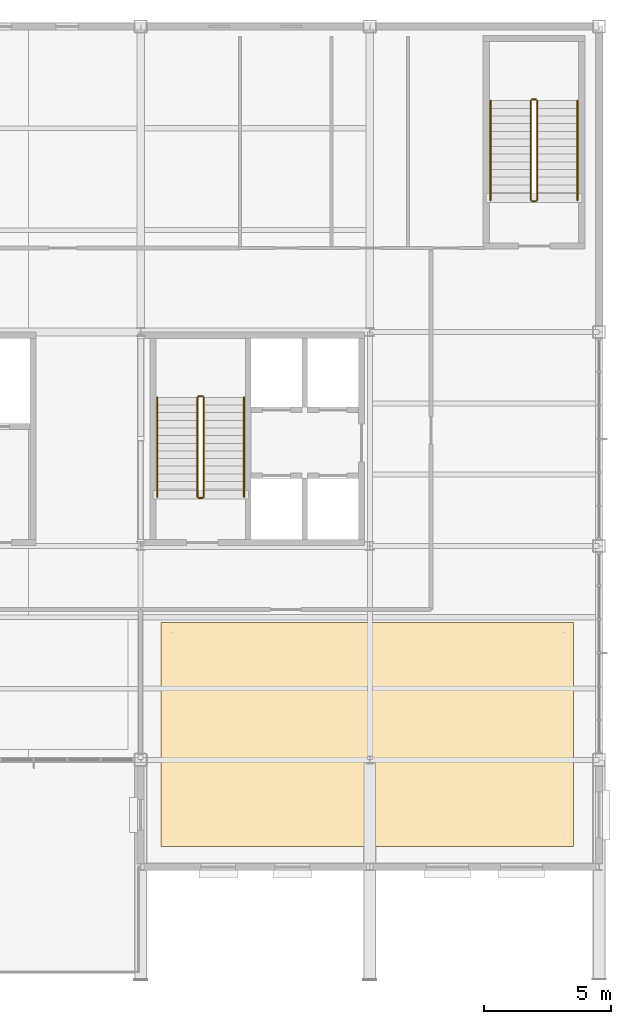
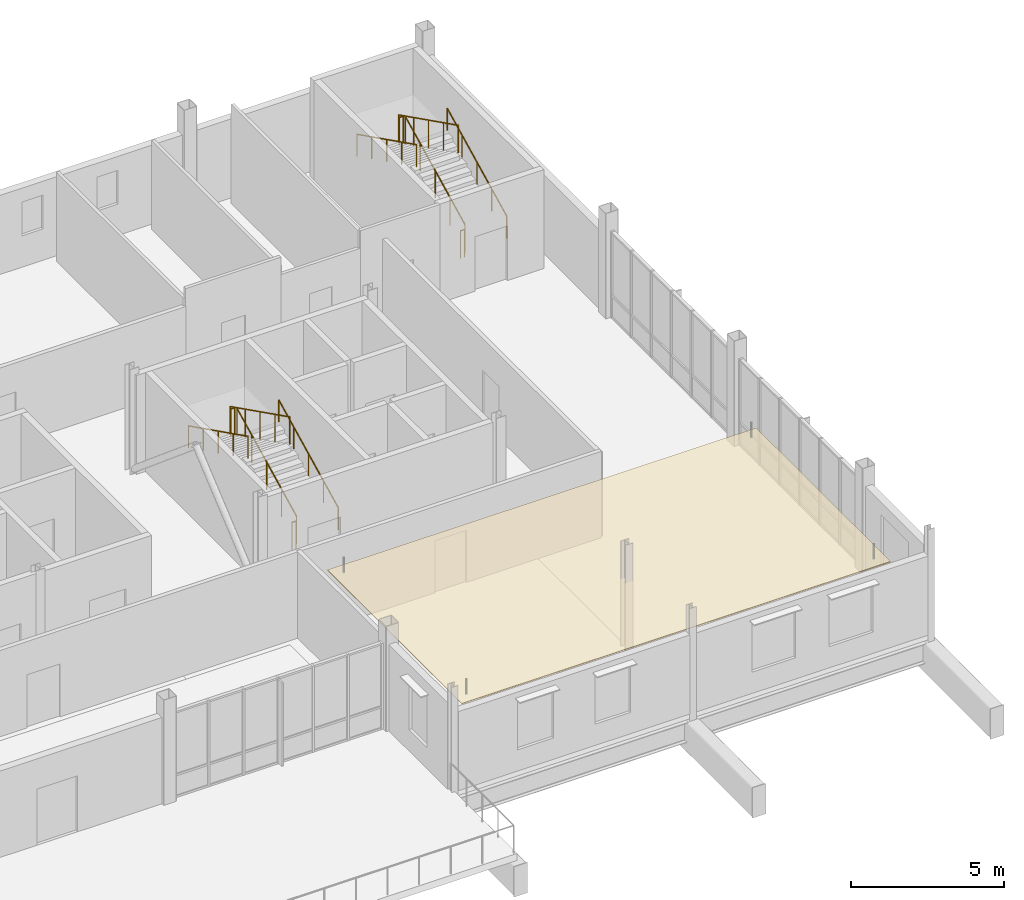
# One storey, part 22 of 22: 12 railings, 1 covering.
"""IFC4 building model written with IfcOpenShell, lengths in metres."""

import ifcopenshell
import ifcopenshell.guid

model = None  # the IFC model being written
_history = None  # IfcOwnerHistory: only IFC2X3 demands one
_inside = {}  # id of a spatial element -> (the spatial element, [elements in it])
_under = {}  # id of a project, library or spatial element -> (it, [spatial elements below it])
_declared = {}  # id of a project -> (the project, [libraries it declares])
_typed = {}  # id of a type object -> (the type object, [elements of that type])
_made_of = {}  # id of a material, layer set ... -> (it, [elements and type objects made of it])


def new_model(schema):
    """Start an empty IFC model of exactly this schema.

    Asked for "IFC4X3", IfcOpenShell would pick the latest addendum, in which some entities
    have other attributes; the version numbers below select the first issue.
    IFC2X3 requires an IfcOwnerHistory on every rooted entity: one is made here for all.
    """
    global model, _history
    if schema == "IFC4X3":
        model = ifcopenshell.file(schema_version=(4, 3, 0, 0))
    else:
        model = ifcopenshell.file(schema=schema)
    _inside.clear()
    _under.clear()
    _declared.clear()
    _typed.clear()
    _made_of.clear()
    _history = None
    if model.schema == "IFC2X3":
        org = make("IfcOrganization", Name="unknown")
        user = make(
            "IfcPersonAndOrganization",
            ThePerson=make("IfcPerson", FamilyName="unknown"),
            TheOrganization=org,
        )
        app = make(
            "IfcApplication",
            ApplicationDeveloper=org,
            Version="unknown",
            ApplicationFullName="unknown",
            ApplicationIdentifier="unknown",
        )
        _history = make(
            "IfcOwnerHistory",
            OwningUser=user,
            OwningApplication=app,
            ChangeAction="ADDED",
            CreationDate=0,
        )
    return model


def make(cls, **values):
    """One entity of the class cls with the attributes given. An attribute that is None is left unset."""
    return model.create_entity(
        cls, **{name: value for name, value in values.items() if value is not None}
    )


def rooted(cls, **values):
    """An entity with a GlobalId (a new one), such as an element, a storey or a relation."""
    return make(cls, GlobalId=ifcopenshell.guid.new(), OwnerHistory=_history, **values)


def si_unit(unit_type, name, prefix=None):
    """IfcSIUnit, for example si_unit("LENGTHUNIT", "METRE", prefix="MILLI")."""
    return make("IfcSIUnit", UnitType=unit_type, Prefix=prefix, Name=name)


def assignment(units):
    """IfcUnitAssignment: the units of a project."""
    return None if units is None else make("IfcUnitAssignment", Units=units)


def point(xyz):
    """IfcCartesianPoint."""
    return None if xyz is None else make("IfcCartesianPoint", Coordinates=xyz)


def direction(xyz):
    """IfcDirection."""
    return None if xyz is None else make("IfcDirection", DirectionRatios=xyz)


def frame(location, z_axis=None, x_axis=None):
    """IfcAxis2Placement3D, a coordinate frame: its origin and axes. An axis left out is left unset."""
    return make(
        "IfcAxis2Placement3D",
        Location=point(location),
        Axis=direction(z_axis),
        RefDirection=direction(x_axis),
    )


def frame_2d(location, x_axis=None):
    """IfcAxis2Placement2D, a coordinate frame in the plane: its origin and x axis."""
    return make(
        "IfcAxis2Placement2D", Location=point(location), RefDirection=direction(x_axis)
    )


def origin():
    """The frame at (0, 0, 0) with its axes left unset."""
    return frame((0.0, 0.0, 0.0))


def origin_2d():
    """The frame at (0, 0) in the plane with its x axis left unset."""
    return frame_2d((0.0, 0.0))


def place(relative_to, where):
    """IfcLocalPlacement: puts the frame where relative to a parent placement (None: the world)."""
    return make(
        "IfcLocalPlacement", PlacementRelTo=relative_to, RelativePlacement=where
    )


def context(
    kind, dimensions, precision=None, world=None, true_north=None, identifier=None
):
    """IfcGeometricRepresentationContext, for example the 3D "Model" context."""
    return make(
        "IfcGeometricRepresentationContext",
        ContextIdentifier=identifier,
        ContextType=kind,
        CoordinateSpaceDimension=dimensions,
        Precision=precision,
        WorldCoordinateSystem=world,
        TrueNorth=true_north,
    )


def subcontext(parent, identifier, kind, view, scale=None):
    """IfcGeometricRepresentationSubContext, for example "Body" below "Model"."""
    return make(
        "IfcGeometricRepresentationSubContext",
        ContextIdentifier=identifier,
        ContextType=kind,
        ParentContext=parent,
        TargetScale=scale,
        TargetView=view,
    )


def project(units=None, contexts=None):
    """IfcProject with its units and contexts."""
    return rooted(
        "IfcProject",
        Name="project",
        RepresentationContexts=contexts,
        UnitsInContext=assignment(units),
    )


def spatial(cls, under=None, at=None, **own):
    """A site, building, storey or space (cls), placed at a placement, below another one or the project."""
    s = rooted(cls, ObjectPlacement=at, **own)
    if under is not None:
        _under.setdefault(under.id(), (under, []))[1].append(s)
    return s


def polyline(points):
    """IfcPolyline through the points."""
    return make("IfcPolyline", Points=[point(p) for p in points])


def profile(cls, at=None, kind="AREA", **sizes):
    """A parametric profile (cls). Its sizes go by their IFC names, for example OverallWidth=200.0."""
    return make(cls, ProfileType=kind, Position=at, **sizes)


def circle(**sizes):
    """IfcCircleProfileDef."""
    return profile("IfcCircleProfileDef", **sizes)


def outline(outer, holes=None, kind="AREA"):
    """IfcArbitraryClosedProfileDef: a profile drawn as a closed curve; with holes, ...WithVoids."""
    if holes is None:
        return make("IfcArbitraryClosedProfileDef", ProfileType=kind, OuterCurve=outer)
    return make(
        "IfcArbitraryProfileDefWithVoids",
        ProfileType=kind,
        OuterCurve=outer,
        InnerCurves=holes,
    )


def extrude(swept, where, along, depth):
    """IfcExtrudedAreaSolid: the profile swept, set in the frame where, extruded along a direction by depth."""
    return make(
        "IfcExtrudedAreaSolid",
        SweptArea=swept,
        Position=where,
        ExtrudedDirection=direction(along),
        Depth=depth,
    )


def shape(context_of_items, identifier, shape_type, items):
    """IfcShapeRepresentation: the items that make up one representation, for example the "Body"."""
    return make(
        "IfcShapeRepresentation",
        ContextOfItems=context_of_items,
        RepresentationIdentifier=identifier,
        RepresentationType=shape_type,
        Items=items,
    )


def material(Name=None, Category=None):
    """IfcMaterial."""
    return make("IfcMaterial", Name=Name, Category=Category)


def layer(
    of_material, thickness, ventilated=None, Name=None, Category=None, Priority=None
):
    """IfcMaterialLayer: one layer of a wall or slab, of a material (None: an air gap)."""
    return make(
        "IfcMaterialLayer",
        Material=of_material,
        LayerThickness=thickness,
        IsVentilated=ventilated,
        Name=Name,
        Category=Category,
        Priority=Priority,
    )


def layer_set(layers, Name=None):
    """IfcMaterialLayerSet."""
    return make("IfcMaterialLayerSet", MaterialLayers=layers, LayerSetName=Name)


def made_of(thing, what):
    """Note that an element or type object is made of a material, layer set ...; save() writes the relation."""
    if what is not None:
        _made_of.setdefault(what.id(), (what, []))[1].append(thing)
    return thing


def type_object(cls, material=None, **own):
    """A type object (cls), such as IfcWallType, which elements share."""
    return made_of(rooted(cls, **own), material)


def element(
    cls,
    number,
    at=None,
    inside=None,
    cuts=None,
    type_object=None,
    material=None,
    context=None,
    identifier="Body",
    shape_type=None,
    held_by="IfcProductDefinitionShape",
    body=None,
    shapes=None,
    **own,
):
    """One element of the class cls, such as IfcWall. Its Tag is "e" and its number.

    at: its placement. inside: the storey or other place that contains it. cuts: it is an
    opening in that element (IfcRelVoidsElement). A single representation is given by context,
    identifier, shape_type and body (its items); several are given by shapes. held_by: the class
    of the entity that holds the representations. save() writes the other relations.
    """
    e = rooted(cls, Tag="e%d" % number, ObjectPlacement=at, **own)
    if body is not None:
        shapes = [shape(context, identifier, shape_type, body)]
    if shapes is not None:
        e.Representation = make(held_by, Representations=shapes)
    if inside is not None:
        _inside.setdefault(inside.id(), (inside, []))[1].append(e)
    if cuts is not None:
        rooted(
            "IfcRelVoidsElement", RelatingBuildingElement=cuts, RelatedOpeningElement=e
        )
    if type_object is not None:
        _typed.setdefault(type_object.id(), (type_object, []))[1].append(e)
    return made_of(e, material)


def aggregate(whole, parts):
    """IfcRelAggregates: a whole, such as a stair, and the parts it consists of."""
    return rooted("IfcRelAggregates", RelatingObject=whole, RelatedObjects=parts)


def save(model, path):
    """Write the relations noted so far, then the file.

    IfcRelAggregates (storeys below a building ...), IfcRelContainedInSpatialStructure (elements
    in a storey), IfcRelDefinesByType, IfcRelAssociatesMaterial and IfcRelDeclares: one each for
    every whole, place, type object, material and project.
    """
    for whole, parts in _under.values():
        aggregate(whole, parts)
    for where, things in _inside.values():
        rooted(
            "IfcRelContainedInSpatialStructure",
            RelatedElements=things,
            RelatingStructure=where,
        )
    for kind, things in _typed.values():
        rooted("IfcRelDefinesByType", RelatedObjects=things, RelatingType=kind)
    for what, things in _made_of.values():
        rooted("IfcRelAssociatesMaterial", RelatedObjects=things, RelatingMaterial=what)
    for by, libraries in _declared.values():
        rooted("IfcRelDeclares", RelatingContext=by, RelatedDefinitions=libraries)
    model.write(path)


model = new_model("IFC4")

# Units and contexts
model_context = context("Model", 3, precision=1e-05, world=origin(), true_north=direction((0.0, 1.0)))
body_context = subcontext(model_context, "Body", "Model", "MODEL_VIEW")
ifc_project = project(units=[si_unit("LENGTHUNIT", "METRE"), si_unit("AREAUNIT", "SQUARE_METRE"), si_unit("VOLUMEUNIT", "CUBIC_METRE"), si_unit("PLANEANGLEUNIT", "RADIAN"), si_unit("MASSUNIT", "GRAM", prefix="KILO")], contexts=[model_context])

# Site, building, storey
site_placement = place(None, origin())
site = spatial("IfcSite", under=ifc_project, at=site_placement, CompositionType="ELEMENT")
building_placement = place(site_placement, origin())
building = spatial("IfcBuilding", under=site, at=building_placement, Name="Yukiwa Park Conservatory and Herbarium", CompositionType="ELEMENT")
storey_placement = place(building_placement, frame((0.0, 0.0, 35.39990234375)))
storey = spatial("IfcBuildingStorey", under=building, at=storey_placement, Name="L09", CompositionType="ELEMENT", Elevation=35.39990234375)

# Covering
ifc_material_1 = material(Name="Acoustic Mineral Fibre Ceiling")
ifc_layer_1 = layer(ifc_material_1, 0.030029296875)
ifc_layer_set_1 = layer_set([ifc_layer_1], Name="Acoustic Mineral Fibre Ceiling")
covering_type = type_object("IfcCoveringType", Name="COV-CEIL-ACOUSTIC", PredefinedType="CEILING", material=ifc_layer_set_1)
covering_placement = place(storey_placement, frame((0.0, 0.0, 2.650146484375)))
element("IfcCovering", 1, at=covering_placement, inside=storey, type_object=covering_type, Name="L09 acoustic suspended ceiling CLG-L09-SEM", PredefinedType="CEILING", context=body_context, shape_type="SweptSolid", body=[
    extrude(outline(polyline([(150.800048828125, 83.0), (167.0, 83.0), (167.0, 91.800048828125), (150.800048828125, 91.800048828125), (150.800048828125, 83.0)])), origin(), (0.0, 0.0, 1.0), 0.030029296875),
])

# Railings
ifc_material_2 = material(Name="Steel Q235B", Category="steel")
ifc_layer_2 = layer(ifc_material_2, 0.050048828125)
ifc_layer_set_2 = layer_set([ifc_layer_2], Name="Steel Q235B")
railing_type_1 = type_object("IfcRailingType", Name="RL-STAIR-GUARD-1120", PredefinedType="BALUSTRADE", material=ifc_layer_set_2)
railing_1_placement = place(storey_placement, frame((152.47998046875, 96.72998046875, 0.150146484375)))
element("IfcRailing", 2, at=railing_1_placement, inside=storey, type_object=railing_type_1, Name="L09 ST-T2 stair guard 1", PredefinedType="BALUSTRADE", context=body_context, shape_type="SweptSolid", body=[
    extrude(circle(Radius=0.02392578125, at=origin_2d()), frame((0.0, 0.0, 1.09619140625), z_axis=(0.0, 0.894427191, 0.4472135955), x_axis=(-1.0, 0.0, 0.0)), (0.0, 0.0, 1.0), 4.360107421875),
    extrude(circle(Radius=0.02099609375, at=origin_2d()), origin(), (0.0, 0.0, 1.0), 1.072021484375),
    extrude(circle(Radius=0.02099609375, at=origin_2d()), frame((0.0, 0.97509765625, 0.487548828125)), (0.0, 0.0, 1.0), 1.072021484375),
    extrude(circle(Radius=0.02099609375, at=origin_2d()), frame((0.0, 1.949951171875, 0.97509765625)), (0.0, 0.0, 1.0), 1.072021484375),
    extrude(circle(Radius=0.02099609375, at=origin_2d()), frame((0.0, 2.9248046875, 1.46240234375)), (0.0, 0.0, 1.0), 1.072021484375),
    extrude(circle(Radius=0.02099609375, at=origin_2d()), frame((0.0, 3.89990234375, 1.949951171875)), (0.0, 0.0, 1.0), 1.072021484375),
])
railing_2_placement = place(storey_placement, frame((152.429931640625, 100.679931640625, 2.10009765625)))
element("IfcRailing", 3, at=railing_2_placement, inside=storey, type_object=railing_type_1, Name="L09 ST-T2 stair guard 2", PredefinedType="BALUSTRADE", context=body_context, shape_type="SweptSolid", body=[
    extrude(circle(Radius=0.02392578125, at=origin_2d()), frame((0.0, 0.0, 1.09619140625), z_axis=(-1.0, 0.0, 0.0), x_axis=(0.0, -1.0, 0.0)), (0.0, 0.0, 1.0), 0.14990234375),
    extrude(circle(Radius=0.02099609375, at=origin_2d()), origin(), (0.0, 0.0, 1.0), 1.072021484375),
    extrude(circle(Radius=0.02099609375, at=origin_2d()), frame((-0.14990234375, 0.0, 0.0)), (0.0, 0.0, 1.0), 1.072021484375),
])
railing_3_placement = place(storey_placement, frame((152.22998046875, 100.6298828125, 2.25)))
element("IfcRailing", 4, at=railing_3_placement, inside=storey, type_object=railing_type_1, Name="L09 ST-T2 stair guard 3", PredefinedType="BALUSTRADE", context=body_context, shape_type="SweptSolid", body=[
    extrude(circle(Radius=0.02392578125, at=origin_2d()), frame((0.0, 0.0, 1.09619140625), z_axis=(0.0, -0.894404793364, 0.447258387967), x_axis=(1.0, 0.0, 0.0)), (0.0, 0.0, 1.0), 4.3603515625),
    extrude(circle(Radius=0.02099609375, at=origin_2d()), origin(), (0.0, 0.0, 1.0), 1.072021484375),
    extrude(circle(Radius=0.02099609375, at=origin_2d()), frame((0.0, -0.97509765625, 0.487548828125)), (0.0, 0.0, 1.0), 1.072021484375),
    extrude(circle(Radius=0.02099609375, at=origin_2d()), frame((0.0, -1.949951171875, 0.97509765625)), (0.0, 0.0, 1.0), 1.072021484375),
    extrude(circle(Radius=0.02099609375, at=origin_2d()), frame((0.0, -2.9248046875, 1.462646484375)), (0.0, 0.0, 1.0), 1.072021484375),
    extrude(circle(Radius=0.02099609375, at=origin_2d()), frame((0.0, -3.89990234375, 1.9501953125)), (0.0, 0.0, 1.0), 1.072021484375),
])
railing_4_placement = place(storey_placement, frame((152.429931640625, 96.679931640625, 0.0)))
element("IfcRailing", 5, at=railing_4_placement, inside=storey, type_object=railing_type_1, Name="L09 ST-T2 stair guard 4", PredefinedType="BALUSTRADE", context=body_context, shape_type="SweptSolid", body=[
    extrude(circle(Radius=0.02392578125, at=origin_2d()), frame((0.0, 0.0, 1.09619140625), z_axis=(-1.0, 0.0, 0.0), x_axis=(0.0, -1.0, 0.0)), (0.0, 0.0, 1.0), 0.14990234375),
    extrude(circle(Radius=0.02099609375, at=origin_2d()), origin(), (0.0, 0.0, 1.0), 1.072021484375),
    extrude(circle(Radius=0.02099609375, at=origin_2d()), frame((-0.14990234375, 0.0, 0.0)), (0.0, 0.0, 1.0), 1.072021484375),
])
railing_5_placement = place(storey_placement, frame((165.570068359375, 108.3798828125, 0.150146484375)))
element("IfcRailing", 6, at=railing_5_placement, inside=storey, type_object=railing_type_1, Name="L09 ST-T3 stair guard 1", PredefinedType="BALUSTRADE", context=body_context, shape_type="SweptSolid", body=[
    extrude(circle(Radius=0.02392578125, at=origin_2d()), frame((0.0, 0.0, 1.09619140625), z_axis=(0.0, 0.894438388696, 0.447191199406), x_axis=(-1.0, 0.0, 0.0)), (0.0, 0.0, 1.0), 4.3603515625),
    extrude(circle(Radius=0.02099609375, at=origin_2d()), origin(), (0.0, 0.0, 1.0), 1.072021484375),
    extrude(circle(Radius=0.02099609375, at=origin_2d()), frame((0.0, 0.97509765625, 0.487548828125)), (0.0, 0.0, 1.0), 1.072021484375),
    extrude(circle(Radius=0.02099609375, at=origin_2d()), frame((0.0, 1.9501953125, 0.97509765625)), (0.0, 0.0, 1.0), 1.072021484375),
    extrude(circle(Radius=0.02099609375, at=origin_2d()), frame((0.0, 2.925048828125, 1.46240234375)), (0.0, 0.0, 1.0), 1.072021484375),
    extrude(circle(Radius=0.02099609375, at=origin_2d()), frame((0.0, 3.900146484375, 1.949951171875)), (0.0, 0.0, 1.0), 1.072021484375),
])
railing_6_placement = place(storey_placement, frame((165.52001953125, 112.330078125, 2.10009765625)))
element("IfcRailing", 7, at=railing_6_placement, inside=storey, type_object=railing_type_1, Name="L09 ST-T3 stair guard 2", PredefinedType="BALUSTRADE", context=body_context, shape_type="SweptSolid", body=[
    extrude(circle(Radius=0.02392578125, at=origin_2d()), frame((0.0, 0.0, 1.09619140625), z_axis=(-1.0, 0.0, 0.0), x_axis=(0.0, -1.0, 0.0)), (0.0, 0.0, 1.0), 0.14990234375),
    extrude(circle(Radius=0.02099609375, at=origin_2d()), origin(), (0.0, 0.0, 1.0), 1.072021484375),
    extrude(circle(Radius=0.02099609375, at=origin_2d()), frame((-0.14990234375, 0.0, 0.0)), (0.0, 0.0, 1.0), 1.072021484375),
])
railing_7_placement = place(storey_placement, frame((165.320068359375, 112.280029296875, 2.25)))
element("IfcRailing", 8, at=railing_7_placement, inside=storey, type_object=railing_type_1, Name="L09 ST-T3 stair guard 3", PredefinedType="BALUSTRADE", context=body_context, shape_type="SweptSolid", body=[
    extrude(circle(Radius=0.02392578125, at=origin_2d()), frame((0.0, 0.0, 1.09619140625), z_axis=(0.0, -0.894415993023, 0.447235990752), x_axis=(1.0, 0.0, 0.0)), (0.0, 0.0, 1.0), 4.360595703125),
    extrude(circle(Radius=0.02099609375, at=origin_2d()), origin(), (0.0, 0.0, 1.0), 1.072021484375),
    extrude(circle(Radius=0.02099609375, at=origin_2d()), frame((0.0, -0.97509765625, 0.487548828125)), (0.0, 0.0, 1.0), 1.072021484375),
    extrude(circle(Radius=0.02099609375, at=origin_2d()), frame((0.0, -1.9501953125, 0.97509765625)), (0.0, 0.0, 1.0), 1.072021484375),
    extrude(circle(Radius=0.02099609375, at=origin_2d()), frame((0.0, -2.925048828125, 1.462646484375)), (0.0, 0.0, 1.0), 1.072021484375),
    extrude(circle(Radius=0.02099609375, at=origin_2d()), frame((0.0, -3.900146484375, 1.9501953125)), (0.0, 0.0, 1.0), 1.072021484375),
])
railing_8_placement = place(storey_placement, frame((165.52001953125, 108.330078125, 0.0)))
element("IfcRailing", 9, at=railing_8_placement, inside=storey, type_object=railing_type_1, Name="L09 ST-T3 stair guard 4", PredefinedType="BALUSTRADE", context=body_context, shape_type="SweptSolid", body=[
    extrude(circle(Radius=0.02392578125, at=origin_2d()), frame((0.0, 0.0, 1.09619140625), z_axis=(-1.0, 0.0, 0.0), x_axis=(0.0, -1.0, 0.0)), (0.0, 0.0, 1.0), 0.14990234375),
    extrude(circle(Radius=0.02099609375, at=origin_2d()), origin(), (0.0, 0.0, 1.0), 1.072021484375),
    extrude(circle(Radius=0.02099609375, at=origin_2d()), frame((-0.14990234375, 0.0, 0.0)), (0.0, 0.0, 1.0), 1.072021484375),
])
ifc_material_3 = material(Name="Steel Q235B", Category="steel")
ifc_layer_3 = layer(ifc_material_3, 0.044921875)
ifc_layer_set_3 = layer_set([ifc_layer_3], Name="Steel Q235B")
railing_type_2 = type_object("IfcRailingType", Name="RL-STAIR-RAIL-900", PredefinedType="HANDRAIL", material=ifc_layer_set_3)
railing_9_placement = place(storey_placement, frame((154.06005859375, 96.72998046875, 0.150146484375)))
element("IfcRailing", 10, at=railing_9_placement, inside=storey, type_object=railing_type_2, Name="L09 ST-T2 stair handrail 1", PredefinedType="HANDRAIL", context=body_context, shape_type="SweptSolid", body=[
    extrude(circle(Radius=0.02392578125, at=origin_2d()), frame((0.0, 0.0, 0.8759765625), z_axis=(0.0, 0.894427191, 0.4472135955), x_axis=(-1.0, 0.0, 0.0)), (0.0, 0.0, 1.0), 4.360107421875),
    extrude(circle(Radius=0.02099609375, at=origin_2d()), origin(), (0.0, 0.0, 1.0), 0.851806640625),
    extrude(circle(Radius=0.02099609375, at=origin_2d()), frame((0.0, 0.97509765625, 0.487548828125)), (0.0, 0.0, 1.0), 0.851806640625),
    extrude(circle(Radius=0.02099609375, at=origin_2d()), frame((0.0, 1.949951171875, 0.97509765625)), (0.0, 0.0, 1.0), 0.851806640625),
    extrude(circle(Radius=0.02099609375, at=origin_2d()), frame((0.0, 2.9248046875, 1.46240234375)), (0.0, 0.0, 1.0), 0.851806640625),
    extrude(circle(Radius=0.02099609375, at=origin_2d()), frame((0.0, 3.89990234375, 1.949951171875)), (0.0, 0.0, 1.0), 0.851806640625),
])
railing_10_placement = place(storey_placement, frame((150.64990234375, 100.6298828125, 2.25)))
element("IfcRailing", 11, at=railing_10_placement, inside=storey, type_object=railing_type_2, Name="L09 ST-T2 stair handrail 2", PredefinedType="HANDRAIL", context=body_context, shape_type="SweptSolid", body=[
    extrude(circle(Radius=0.02392578125, at=origin_2d()), frame((0.0, 0.0, 0.8759765625), z_axis=(0.0, -0.894404793364, 0.447258387967), x_axis=(1.0, 0.0, 0.0)), (0.0, 0.0, 1.0), 4.3603515625),
    extrude(circle(Radius=0.02099609375, at=origin_2d()), origin(), (0.0, 0.0, 1.0), 0.851806640625),
    extrude(circle(Radius=0.02099609375, at=origin_2d()), frame((0.0, -0.97509765625, 0.487548828125)), (0.0, 0.0, 1.0), 0.851806640625),
    extrude(circle(Radius=0.02099609375, at=origin_2d()), frame((0.0, -1.949951171875, 0.97509765625)), (0.0, 0.0, 1.0), 0.851806640625),
    extrude(circle(Radius=0.02099609375, at=origin_2d()), frame((0.0, -2.9248046875, 1.462646484375)), (0.0, 0.0, 1.0), 0.851806640625),
    extrude(circle(Radius=0.02099609375, at=origin_2d()), frame((0.0, -3.89990234375, 1.9501953125)), (0.0, 0.0, 1.0), 0.851806640625),
])
railing_11_placement = place(storey_placement, frame((167.14990234375, 108.3798828125, 0.150146484375)))
element("IfcRailing", 12, at=railing_11_placement, inside=storey, type_object=railing_type_2, Name="L09 ST-T3 stair handrail 1", PredefinedType="HANDRAIL", context=body_context, shape_type="SweptSolid", body=[
    extrude(circle(Radius=0.02392578125, at=origin_2d()), frame((0.0, 0.0, 0.8759765625), z_axis=(0.0, 0.894438388696, 0.447191199406), x_axis=(-1.0, 0.0, 0.0)), (0.0, 0.0, 1.0), 4.3603515625),
    extrude(circle(Radius=0.02099609375, at=origin_2d()), origin(), (0.0, 0.0, 1.0), 0.851806640625),
    extrude(circle(Radius=0.02099609375, at=origin_2d()), frame((0.0, 0.97509765625, 0.487548828125)), (0.0, 0.0, 1.0), 0.851806640625),
    extrude(circle(Radius=0.02099609375, at=origin_2d()), frame((0.0, 1.9501953125, 0.97509765625)), (0.0, 0.0, 1.0), 0.851806640625),
    extrude(circle(Radius=0.02099609375, at=origin_2d()), frame((0.0, 2.925048828125, 1.46240234375)), (0.0, 0.0, 1.0), 0.851806640625),
    extrude(circle(Radius=0.02099609375, at=origin_2d()), frame((0.0, 3.900146484375, 1.949951171875)), (0.0, 0.0, 1.0), 0.851806640625),
])
railing_12_placement = place(storey_placement, frame((163.739990234375, 112.280029296875, 2.25)))
element("IfcRailing", 13, at=railing_12_placement, inside=storey, type_object=railing_type_2, Name="L09 ST-T3 stair handrail 2", PredefinedType="HANDRAIL", context=body_context, shape_type="SweptSolid", body=[
    extrude(circle(Radius=0.02392578125, at=origin_2d()), frame((0.0, 0.0, 0.8759765625), z_axis=(0.0, -0.894415993023, 0.447235990752), x_axis=(1.0, 0.0, 0.0)), (0.0, 0.0, 1.0), 4.360595703125),
    extrude(circle(Radius=0.02099609375, at=origin_2d()), origin(), (0.0, 0.0, 1.0), 0.851806640625),
    extrude(circle(Radius=0.02099609375, at=origin_2d()), frame((0.0, -0.97509765625, 0.487548828125)), (0.0, 0.0, 1.0), 0.851806640625),
    extrude(circle(Radius=0.02099609375, at=origin_2d()), frame((0.0, -1.9501953125, 0.97509765625)), (0.0, 0.0, 1.0), 0.851806640625),
    extrude(circle(Radius=0.02099609375, at=origin_2d()), frame((0.0, -2.925048828125, 1.462646484375)), (0.0, 0.0, 1.0), 0.851806640625),
    extrude(circle(Radius=0.02099609375, at=origin_2d()), frame((0.0, -3.900146484375, 1.9501953125)), (0.0, 0.0, 1.0), 0.851806640625),
])

save(model, "model.ifc")
